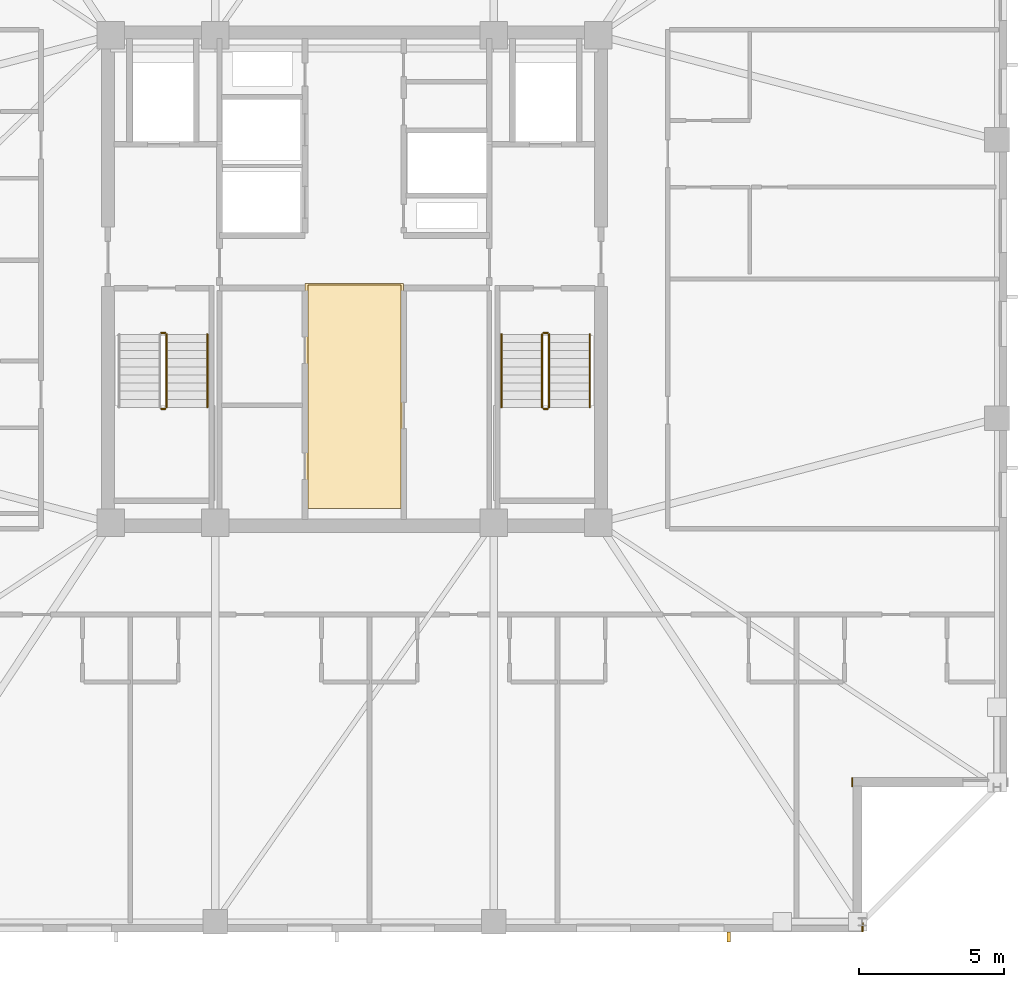
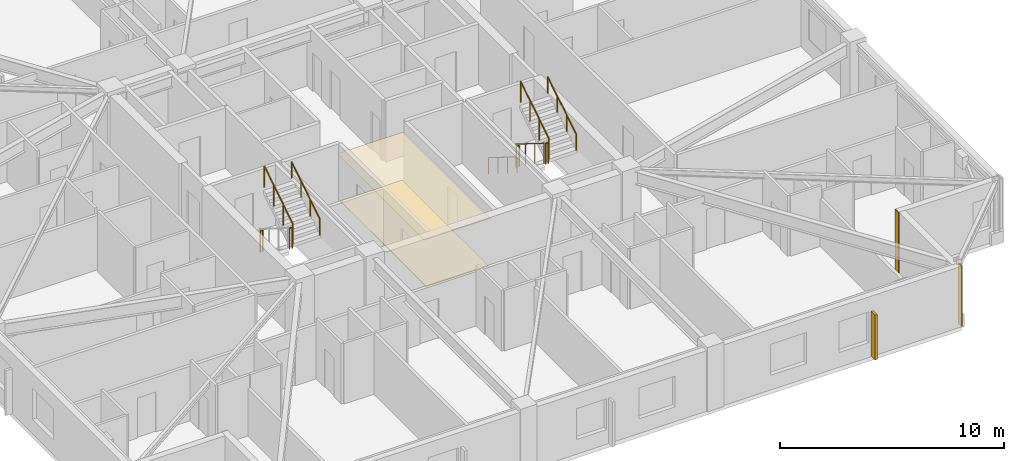
# One storey, part 14 of 17: 10 railings, 4 coverings, 1 shading device.
"""IFC4 building model written with IfcOpenShell, lengths in metres."""

from ifc_helpers import new_model, si_unit, direction, frame, frame_2d, origin, origin_2d, place, context, subcontext, project, spatial, polyline, rectangle, circle, outline, extrude, material, layer, layer_set, type_object, element, save


model = new_model("IFC4")

# Units and contexts
model_context = context("Model", 3, precision=1e-05, world=origin(), true_north=direction((0.0, 1.0)))
body_context = subcontext(model_context, "Body", "Model", "MODEL_VIEW")
ifc_project = project(units=[si_unit("LENGTHUNIT", "METRE"), si_unit("AREAUNIT", "SQUARE_METRE"), si_unit("VOLUMEUNIT", "CUBIC_METRE"), si_unit("PLANEANGLEUNIT", "RADIAN"), si_unit("MASSUNIT", "GRAM", prefix="KILO")], contexts=[model_context])

# Site, building, storey
site_placement = place(None, origin())
site = spatial("IfcSite", under=ifc_project, at=site_placement, CompositionType="ELEMENT")
building_placement = place(site_placement, origin())
building = spatial("IfcBuilding", under=site, at=building_placement, Name="Cairnveth Concourse Tower", CompositionType="ELEMENT")
storey_placement = place(building_placement, frame((0.0, 0.0, 234.0)))
storey = spatial("IfcBuildingStorey", under=building, at=storey_placement, Name="L64", CompositionType="ELEMENT", Elevation=234.0)

# Coverings
ifc_material_1 = material(Name="Acoustic Mineral Fibre Ceiling", Category="gypsum")
ifc_layer_1 = layer(ifc_material_1, 0.02490234375)
ifc_layer_set_1 = layer_set([ifc_layer_1], Name="Acoustic Mineral Fibre Ceiling")
covering_type_1 = type_object("IfcCoveringType", Name="ACOUSTIC MINERAL FIBRE CEILING 25", PredefinedType="CEILING", material=ifc_layer_set_1)
covering_1_placement = place(storey_placement, frame((0.0, 0.0, 2.55810546875)))
element("IfcCovering", 1, at=covering_1_placement, inside=storey, type_object=covering_type_1, Name="Lift Lobby Acoustic Ceiling L64", PredefinedType="CEILING", context=body_context, shape_type="SweptSolid", body=[
    extrude(outline(polyline([(50.300048828125, 31.10009765625), (53.699951171875, 31.10009765625), (53.699951171875, 38.85009765625), (50.300048828125, 38.85009765625), (50.300048828125, 31.10009765625)])), origin(), (0.0, 0.0, 1.0), 0.02490234375),
])
ifc_material_2 = material(Name="Dressed Melbourne Bluestone Cladding", Category="masonry")
ifc_layer_2 = layer(ifc_material_2, 0.050048828125)
ifc_layer_set_2 = layer_set([ifc_layer_2], Name="Dressed Melbourne Bluestone Cladding")
covering_type_2 = type_object("IfcCoveringType", Name="DRESSED BLUESTONE PLINTH CLADDING 50", PredefinedType="CLADDING", material=ifc_layer_set_2)
for number, where, z_axis, x_axis, name in (
    (2, (69.159912109375, 21.820068359375, 0.0), (0.0, 0.0, 1.0), (0.0, -1.0, 0.0), "Melbourne Bluestone Corner Quoin L64-967"),
    (3, (69.52001953125, 16.820068359375, 0.0), (0.0, 0.0, 1.0), (0.0, -1.0, 0.0), "Melbourne Bluestone Corner Quoin L64-968"),
):
    element("IfcCovering", number, at=place(storey_placement, frame(where, z_axis=z_axis, x_axis=x_axis)), inside=storey, type_object=covering_type_2, Name=name, PredefinedType="CLADDING", context=body_context, shape_type="SweptSolid", body=[
        extrude(rectangle(XDim=0.320068359375, YDim=0.050048828125, at=frame_2d((0.16015625, 0.0))), origin(), (0.0, 0.0, 1.0), 3.2900390625),
    ])

# Shading device
ifc_material_3 = material(Name="Architectural Bronze Anodised Aluminium 6063-T6", Category="aluminium")
shading_device_type = type_object("IfcShadingDeviceType", Name="GOTHIC BRONZE VERTICAL LANCET FIN", PredefinedType="USERDEFINED", material=ifc_material_3)
shading_device_placement = place(storey_placement, frame((64.8974609375, 16.324951171875, 0.030029296875), z_axis=(0.0, 0.0, 1.0), x_axis=(1.0, 0.0, 0.0)))
element("IfcShadingDevice", 4, at=shading_device_placement, inside=storey, type_object=shading_device_type, Name="Gothic Bronze Vertical Fin L64-9-1", ObjectType="VERTICAL FIN", PredefinedType="USERDEFINED", context=body_context, shape_type="SweptSolid", body=[
    extrude(rectangle(XDim=0.1201171875, YDim=0.360107421875, at=origin_2d()), origin(), (0.0, 0.0, 1.0), 2.43798828125),
])

# Railings
ifc_material_4 = material(Name="Steel Grade 350", Category="steel")
railing_type_1 = type_object("IfcRailingType", Name="STAIR GUARDRAIL 1150", PredefinedType="GUARDRAIL", material=ifc_material_4)
railing_1_placement = place(storey_placement, frame((45.340087890625, 34.530029296875, 1.75)))
element("IfcRailing", 5, at=railing_1_placement, inside=storey, type_object=railing_type_1, Name="L64 ST-1 stair guard 2", PredefinedType="GUARDRAIL", context=body_context, shape_type="SweptSolid", body=[
    extrude(circle(Radius=0.02392578125, at=origin_2d()), frame((0.0, 0.0, 1.1259765625), z_axis=(1.0, 0.0, 0.0), x_axis=(0.0, 1.0, 0.0)), (0.0, 0.0, 1.0), 0.139892578125),
    extrude(circle(Radius=0.02099609375, at=origin_2d()), origin(), (0.0, 0.0, 1.0), 1.101806640625),
    extrude(circle(Radius=0.02099609375, at=origin_2d()), frame((0.139892578125, 0.0, 0.0)), (0.0, 0.0, 1.0), 1.101806640625),
])
railing_2_placement = place(storey_placement, frame((45.530029296875, 34.580078125, 1.925048828125)))
element("IfcRailing", 6, at=railing_2_placement, inside=storey, type_object=railing_type_1, Name="L64 ST-1 stair guard 3", PredefinedType="GUARDRAIL", context=body_context, shape_type="SweptSolid", body=[
    extrude(circle(Radius=0.02392578125, at=origin_2d()), frame((0.0, 0.0, 1.1259765625), z_axis=(0.0, 0.848007534815, 0.529984170421), x_axis=(-1.0, 0.0, 0.0)), (0.0, 0.0, 1.0), 2.9716796875),
    extrude(circle(Radius=0.02099609375, at=origin_2d()), origin(), (0.0, 0.0, 1.0), 1.101806640625),
    extrude(circle(Radius=0.02099609375, at=origin_2d()), frame((0.0, 0.840087890625, 0.52490234375)), (0.0, 0.0, 1.0), 1.101806640625),
    extrude(circle(Radius=0.02099609375, at=origin_2d()), frame((0.0, 1.679931640625, 1.050048828125)), (0.0, 0.0, 1.0), 1.101806640625),
    extrude(circle(Radius=0.02099609375, at=origin_2d()), frame((0.0, 2.52001953125, 1.574951171875)), (0.0, 0.0, 1.0), 1.101806640625),
])
railing_3_placement = place(storey_placement, frame((45.340087890625, 37.14990234375, 0.0)))
element("IfcRailing", 7, at=railing_3_placement, inside=storey, type_object=railing_type_1, Name="L64 ST-1 stair guard 4", PredefinedType="GUARDRAIL", context=body_context, shape_type="SweptSolid", body=[
    extrude(circle(Radius=0.02392578125, at=origin_2d()), frame((0.0, 0.0, 1.1259765625), z_axis=(1.0, 0.0, 0.0), x_axis=(0.0, 1.0, 0.0)), (0.0, 0.0, 1.0), 0.139892578125),
    extrude(circle(Radius=0.02099609375, at=origin_2d()), origin(), (0.0, 0.0, 1.0), 1.101806640625),
    extrude(circle(Radius=0.02099609375, at=origin_2d()), frame((0.139892578125, 0.0, 0.0)), (0.0, 0.0, 1.0), 1.101806640625),
])
railing_4_placement = place(storey_placement, frame((58.469970703125, 37.10009765625, 0.175048828125)))
element("IfcRailing", 8, at=railing_4_placement, inside=storey, type_object=railing_type_1, Name="L64 ST-2 stair guard 1", PredefinedType="GUARDRAIL", context=body_context, shape_type="SweptSolid", body=[
    extrude(circle(Radius=0.02392578125, at=origin_2d()), frame((0.0, 0.0, 1.1259765625), z_axis=(0.0, -0.848007534815, 0.529984170421), x_axis=(1.0, 0.0, 0.0)), (0.0, 0.0, 1.0), 2.9716796875),
    extrude(circle(Radius=0.02099609375, at=origin_2d()), origin(), (0.0, 0.0, 1.0), 1.101806640625),
    extrude(circle(Radius=0.02099609375, at=origin_2d()), frame((0.0, -0.840087890625, 0.52490234375)), (0.0, 0.0, 1.0), 1.101806640625),
    extrude(circle(Radius=0.02099609375, at=origin_2d()), frame((0.0, -1.679931640625, 1.050048828125)), (0.0, 0.0, 1.0), 1.101806640625),
    extrude(circle(Radius=0.02099609375, at=origin_2d()), frame((0.0, -2.52001953125, 1.574951171875)), (0.0, 0.0, 1.0), 1.101806640625),
])
railing_5_placement = place(storey_placement, frame((58.52001953125, 34.530029296875, 1.75)))
element("IfcRailing", 9, at=railing_5_placement, inside=storey, type_object=railing_type_1, Name="L64 ST-2 stair guard 2", PredefinedType="GUARDRAIL", context=body_context, shape_type="SweptSolid", body=[
    extrude(circle(Radius=0.02392578125, at=origin_2d()), frame((0.0, 0.0, 1.1259765625), z_axis=(1.0, 0.0, 0.0), x_axis=(0.0, 1.0, 0.0)), (0.0, 0.0, 1.0), 0.139892578125),
    extrude(circle(Radius=0.02099609375, at=origin_2d()), origin(), (0.0, 0.0, 1.0), 1.101806640625),
    extrude(circle(Radius=0.02099609375, at=origin_2d()), frame((0.139892578125, 0.0, 0.0)), (0.0, 0.0, 1.0), 1.101806640625),
])
railing_6_placement = place(storey_placement, frame((58.7099609375, 34.580078125, 1.925048828125)))
element("IfcRailing", 10, at=railing_6_placement, inside=storey, type_object=railing_type_1, Name="L64 ST-2 stair guard 3", PredefinedType="GUARDRAIL", context=body_context, shape_type="SweptSolid", body=[
    extrude(circle(Radius=0.02392578125, at=origin_2d()), frame((0.0, 0.0, 1.1259765625), z_axis=(0.0, 0.848007534815, 0.529984170421), x_axis=(-1.0, 0.0, 0.0)), (0.0, 0.0, 1.0), 2.9716796875),
    extrude(circle(Radius=0.02099609375, at=origin_2d()), origin(), (0.0, 0.0, 1.0), 1.101806640625),
    extrude(circle(Radius=0.02099609375, at=origin_2d()), frame((0.0, 0.840087890625, 0.52490234375)), (0.0, 0.0, 1.0), 1.101806640625),
    extrude(circle(Radius=0.02099609375, at=origin_2d()), frame((0.0, 1.679931640625, 1.050048828125)), (0.0, 0.0, 1.0), 1.101806640625),
    extrude(circle(Radius=0.02099609375, at=origin_2d()), frame((0.0, 2.52001953125, 1.574951171875)), (0.0, 0.0, 1.0), 1.101806640625),
])
railing_7_placement = place(storey_placement, frame((58.52001953125, 37.14990234375, 0.0)))
element("IfcRailing", 11, at=railing_7_placement, inside=storey, type_object=railing_type_1, Name="L64 ST-2 stair guard 4", PredefinedType="GUARDRAIL", context=body_context, shape_type="SweptSolid", body=[
    extrude(circle(Radius=0.02392578125, at=origin_2d()), frame((0.0, 0.0, 1.1259765625), z_axis=(1.0, 0.0, 0.0), x_axis=(0.0, 1.0, 0.0)), (0.0, 0.0, 1.0), 0.139892578125),
    extrude(circle(Radius=0.02099609375, at=origin_2d()), origin(), (0.0, 0.0, 1.0), 1.101806640625),
    extrude(circle(Radius=0.02099609375, at=origin_2d()), frame((0.139892578125, 0.0, 0.0)), (0.0, 0.0, 1.0), 1.101806640625),
])
railing_type_2 = type_object("IfcRailingType", Name="STAIR WALL HANDRAIL 900", PredefinedType="HANDRAIL", material=ifc_material_4)
railing_8_placement = place(storey_placement, frame((46.929931640625, 34.580078125, 1.925048828125)))
element("IfcRailing", 12, at=railing_8_placement, inside=storey, type_object=railing_type_2, Name="L64 ST-1 stair handrail 2", PredefinedType="HANDRAIL", context=body_context, shape_type="SweptSolid", body=[
    extrude(circle(Radius=0.02392578125, at=origin_2d()), frame((0.0, 0.0, 0.8759765625), z_axis=(0.0, 0.848007534815, 0.529984170421), x_axis=(-1.0, 0.0, 0.0)), (0.0, 0.0, 1.0), 2.9716796875),
    extrude(circle(Radius=0.02099609375, at=origin_2d()), origin(), (0.0, 0.0, 1.0), 0.851806640625),
    extrude(circle(Radius=0.02099609375, at=origin_2d()), frame((0.0, 0.840087890625, 0.52490234375)), (0.0, 0.0, 1.0), 0.851806640625),
    extrude(circle(Radius=0.02099609375, at=origin_2d()), frame((0.0, 1.679931640625, 1.050048828125)), (0.0, 0.0, 1.0), 0.851806640625),
    extrude(circle(Radius=0.02099609375, at=origin_2d()), frame((0.0, 2.52001953125, 1.574951171875)), (0.0, 0.0, 1.0), 0.851806640625),
])
railing_9_placement = place(storey_placement, frame((57.070068359375, 37.10009765625, 0.175048828125)))
element("IfcRailing", 13, at=railing_9_placement, inside=storey, type_object=railing_type_2, Name="L64 ST-2 stair handrail 1", PredefinedType="HANDRAIL", context=body_context, shape_type="SweptSolid", body=[
    extrude(circle(Radius=0.02392578125, at=origin_2d()), frame((0.0, 0.0, 0.8759765625), z_axis=(0.0, -0.848007534815, 0.529984170421), x_axis=(1.0, 0.0, 0.0)), (0.0, 0.0, 1.0), 2.9716796875),
    extrude(circle(Radius=0.02099609375, at=origin_2d()), origin(), (0.0, 0.0, 1.0), 0.851806640625),
    extrude(circle(Radius=0.02099609375, at=origin_2d()), frame((0.0, -0.840087890625, 0.52490234375)), (0.0, 0.0, 1.0), 0.851806640625),
    extrude(circle(Radius=0.02099609375, at=origin_2d()), frame((0.0, -1.679931640625, 1.050048828125)), (0.0, 0.0, 1.0), 0.851806640625),
    extrude(circle(Radius=0.02099609375, at=origin_2d()), frame((0.0, -2.52001953125, 1.574951171875)), (0.0, 0.0, 1.0), 0.851806640625),
])
railing_10_placement = place(storey_placement, frame((60.110107421875, 34.580078125, 1.925048828125)))
element("IfcRailing", 14, at=railing_10_placement, inside=storey, type_object=railing_type_2, Name="L64 ST-2 stair handrail 2", PredefinedType="HANDRAIL", context=body_context, shape_type="SweptSolid", body=[
    extrude(circle(Radius=0.02392578125, at=origin_2d()), frame((0.0, 0.0, 0.8759765625), z_axis=(0.0, 0.848007534815, 0.529984170421), x_axis=(-1.0, 0.0, 0.0)), (0.0, 0.0, 1.0), 2.9716796875),
    extrude(circle(Radius=0.02099609375, at=origin_2d()), origin(), (0.0, 0.0, 1.0), 0.851806640625),
    extrude(circle(Radius=0.02099609375, at=origin_2d()), frame((0.0, 0.840087890625, 0.52490234375)), (0.0, 0.0, 1.0), 0.851806640625),
    extrude(circle(Radius=0.02099609375, at=origin_2d()), frame((0.0, 1.679931640625, 1.050048828125)), (0.0, 0.0, 1.0), 0.851806640625),
    extrude(circle(Radius=0.02099609375, at=origin_2d()), frame((0.0, 2.52001953125, 1.574951171875)), (0.0, 0.0, 1.0), 0.851806640625),
])

# Covering
ifc_material_5 = material(Name="Vitrified Stoneware Tile Flooring", Category="masonry")
ifc_layer_3 = layer(ifc_material_5, 0.02001953125)
ifc_layer_set_3 = layer_set([ifc_layer_3], Name="Vitrified Stoneware Tile Flooring")
covering_type_3 = type_object("IfcCoveringType", Name="VITRIFIED STONEWARE LOBBY FLOORING 20", PredefinedType="FLOORING", material=ifc_layer_set_3)
covering_2_placement = place(storey_placement, origin())
element("IfcCovering", 15, at=covering_2_placement, inside=storey, type_object=covering_type_3, Name="Lift Lobby Stoneware Flooring L64", PredefinedType="FLOORING", context=body_context, shape_type="SweptSolid", body=[
    extrude(outline(polyline([(50.39990234375, 31.10009765625), (53.60009765625, 31.10009765625), (53.60009765625, 38.800048828125), (50.39990234375, 38.800048828125), (50.39990234375, 31.10009765625)])), origin(), (0.0, 0.0, 1.0), 0.02001953125),
])

save(model, "model.ifc")
